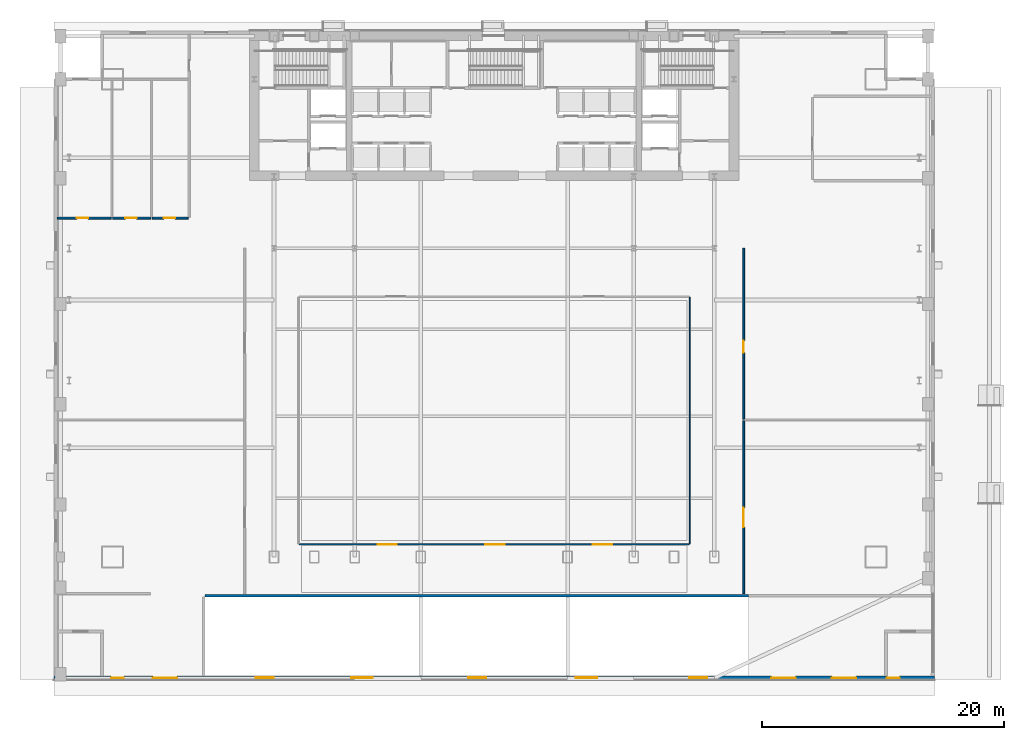
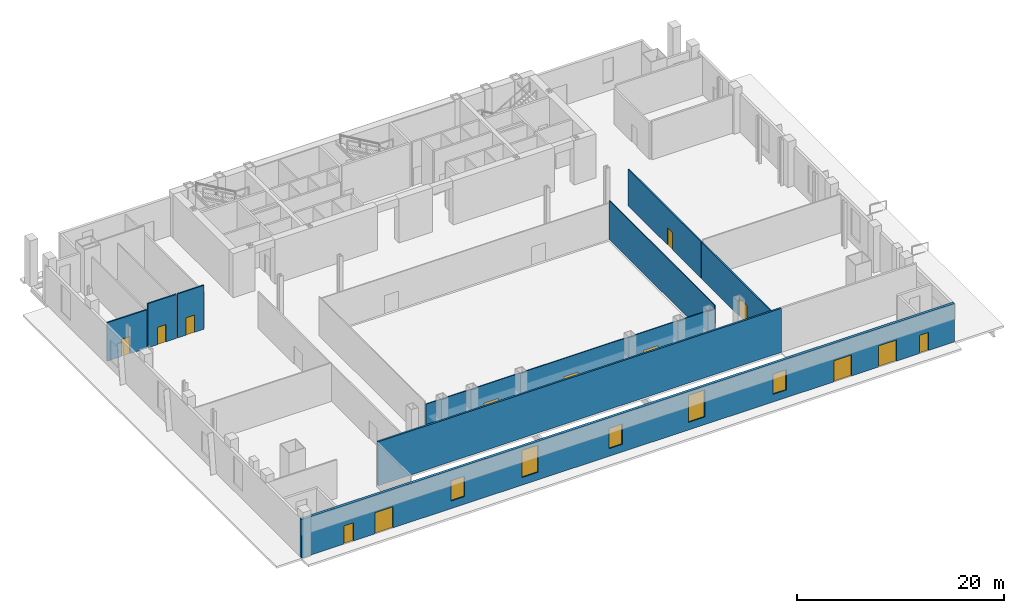
# One storey, part 8 of 16: 13 doors, 9 walls, 5 windows, 18 openings.
"""IFC4 building model written with IfcOpenShell, lengths in metres."""

from ifc_helpers import new_model, si_unit, direction, frame, frame_2d, origin, place, context, subcontext, project, spatial, rectangle, extrude, material, layer, layer_set, type_object, element, fill, save


model = new_model("IFC4")

# Units and contexts
model_context = context("Model", 3, precision=1e-05, world=origin(), true_north=direction((0.0, 1.0)))
body_context = subcontext(model_context, "Body", "Model", "MODEL_VIEW")
ifc_project = project(units=[si_unit("LENGTHUNIT", "METRE"), si_unit("AREAUNIT", "SQUARE_METRE"), si_unit("VOLUMEUNIT", "CUBIC_METRE"), si_unit("PLANEANGLEUNIT", "RADIAN"), si_unit("MASSUNIT", "GRAM", prefix="KILO")], contexts=[model_context])

# Site, building, storey
site_placement = place(None, origin())
site = spatial("IfcSite", under=ifc_project, at=site_placement, CompositionType="ELEMENT")
building_placement = place(site_placement, origin())
building = spatial("IfcBuilding", under=site, at=building_placement, Name="Khoronbel Lancet Exchange", CompositionType="ELEMENT")
storey_placement = place(building_placement, origin())
storey = spatial("IfcBuildingStorey", under=building, at=storey_placement, Name="L00", CompositionType="ELEMENT", Elevation=0.0)

# Wall, openings, doors, windows
ifc_material_1 = material(Name="Precast concrete C40/50", Category="concrete")
ifc_layer_1 = layer(ifc_material_1, 0.300048828125, Name="Precast concrete C40/50")
ifc_layer_set_1 = layer_set([ifc_layer_1], Name="Precast concrete C40/50")
wall_type_1 = type_object("IfcWallType", Name="WL-EXT300", PredefinedType="SOLIDWALL", material=ifc_layer_set_1)
wall_1_placement = place(storey_placement, frame((72.89990234375, 0.14990234375, 0.0), z_axis=(0.0, 0.0, 1.0), x_axis=(-1.0, 0.0, 0.0)))
wall_1 = element("IfcWall", 1, at=wall_1_placement, inside=storey, type_object=wall_type_1, Name="Level L00 south boulevard stone and bronze facade wall", PredefinedType="SOLIDWALL", context=body_context, shape_type="SweptSolid", body=[
    extrude(rectangle(XDim=72.89990234375, YDim=0.300048828125, at=frame_2d((36.449951171875, 0.0))), origin(), (0.0, 0.0, 1.0), 4.5400390625),
])
opening_1_placement = place(wall_1_placement, frame((6.5, 0.0, 0.0)))
opening_1 = element("IfcOpeningElement", 2, at=opening_1_placement, cuts=wall_1, Name="Opening EX1", PredefinedType="OPENING", context=body_context, shape_type="SweptSolid", body=[
    extrude(rectangle(XDim=2.0, YDim=2.5, at=frame_2d((1.0, 1.25))), frame((0.0, 0.16015625, 0.0), z_axis=(0.0, -1.0, 0.0), x_axis=(1.0, 0.0, 0.0)), (0.0, 0.0, 1.0), 0.320068359375),
])
opening_2_placement = place(wall_1_placement, frame((11.5, 0.0, 0.0)))
opening_2 = element("IfcOpeningElement", 3, at=opening_2_placement, cuts=wall_1, Name="Opening EX1", PredefinedType="OPENING", context=body_context, shape_type="SweptSolid", body=[
    extrude(rectangle(XDim=2.0, YDim=2.5, at=frame_2d((1.0, 1.25))), frame((0.0, 0.16015625, 0.0), z_axis=(0.0, -1.0, 0.0), x_axis=(1.0, 0.0, 0.0)), (0.0, 0.0, 1.0), 0.320068359375),
])
opening_3_placement = place(wall_1_placement, frame((62.699951171875, 0.0, 0.0)))
opening_3 = element("IfcOpeningElement", 4, at=opening_3_placement, cuts=wall_1, Name="Opening EX1", PredefinedType="OPENING", context=body_context, shape_type="SweptSolid", body=[
    extrude(rectangle(XDim=2.0, YDim=2.5, at=frame_2d((1.0, 1.25))), frame((0.0, 0.16015625, 0.0), z_axis=(0.0, -1.0, 0.0), x_axis=(1.0, 0.0, 0.0)), (0.0, 0.0, 1.0), 0.320068359375),
])
opening_4_placement = place(wall_1_placement, frame((67.10009765625, 0.0, 0.0)))
opening_4 = element("IfcOpeningElement", 5, at=opening_4_placement, cuts=wall_1, Name="Opening TD2", PredefinedType="OPENING", context=body_context, shape_type="SweptSolid", body=[
    extrude(rectangle(XDim=1.050048828125, YDim=2.14990234375, at=frame_2d((0.52490234375, 1.074951171875))), frame((0.0, 0.16015625, 0.0), z_axis=(0.0, -1.0, 0.0), x_axis=(1.0, 0.0, 0.0)), (0.0, 0.0, 1.0), 0.320068359375),
])
opening_5_placement = place(wall_1_placement, frame((2.89990234375, 0.0, 0.0)))
opening_5 = element("IfcOpeningElement", 6, at=opening_5_placement, cuts=wall_1, Name="Opening TD2", PredefinedType="OPENING", context=body_context, shape_type="SweptSolid", body=[
    extrude(rectangle(XDim=1.050048828125, YDim=2.14990234375, at=frame_2d((0.52490234375, 1.074951171875))), frame((0.0, 0.16015625, 0.0), z_axis=(0.0, -1.0, 0.0), x_axis=(1.0, 0.0, 0.0)), (0.0, 0.0, 1.0), 0.320068359375),
])
opening_6_placement = place(wall_1_placement, frame((18.800048828125, 0.0, 0.89990234375)))
opening_6 = element("IfcOpeningElement", 7, at=opening_6_placement, cuts=wall_1, Name="Opening W4", PredefinedType="OPENING", context=body_context, shape_type="SweptSolid", body=[
    extrude(rectangle(XDim=1.5, YDim=2.39990234375, at=frame_2d((0.75, 1.199951171875))), frame((0.0, 0.16015625, 0.0), z_axis=(0.0, -1.0, 0.0), x_axis=(1.0, 0.0, 0.0)), (0.0, 0.0, 1.0), 0.320068359375),
])
opening_7_placement = place(wall_1_placement, frame((27.89990234375, 0.0, 0.89990234375)))
opening_7 = element("IfcOpeningElement", 8, at=opening_7_placement, cuts=wall_1, Name="Opening W1", PredefinedType="OPENING", context=body_context, shape_type="SweptSolid", body=[
    extrude(rectangle(XDim=1.800048828125, YDim=3.199951171875, at=frame_2d((0.89990234375, 1.60009765625))), frame((0.0, 0.16015625, 0.0), z_axis=(0.0, -1.0, 0.0), x_axis=(1.0, 0.0, 0.0)), (0.0, 0.0, 1.0), 0.320068359375),
])
opening_8_placement = place(wall_1_placement, frame((37.10009765625, 0.0, 0.89990234375)))
opening_8 = element("IfcOpeningElement", 9, at=opening_8_placement, cuts=wall_1, Name="Opening W4", PredefinedType="OPENING", context=body_context, shape_type="SweptSolid", body=[
    extrude(rectangle(XDim=1.5, YDim=2.39990234375, at=frame_2d((0.75, 1.199951171875))), frame((0.0, 0.16015625, 0.0), z_axis=(0.0, -1.0, 0.0), x_axis=(1.0, 0.0, 0.0)), (0.0, 0.0, 1.0), 0.320068359375),
])
opening_9_placement = place(wall_1_placement, frame((46.5, 0.0, 0.89990234375)))
opening_9 = element("IfcOpeningElement", 10, at=opening_9_placement, cuts=wall_1, Name="Opening W1", PredefinedType="OPENING", context=body_context, shape_type="SweptSolid", body=[
    extrude(rectangle(XDim=1.800048828125, YDim=3.199951171875, at=frame_2d((0.89990234375, 1.60009765625))), frame((0.0, 0.16015625, 0.0), z_axis=(0.0, -1.0, 0.0), x_axis=(1.0, 0.0, 0.0)), (0.0, 0.0, 1.0), 0.320068359375),
])
opening_10_placement = place(wall_1_placement, frame((54.699951171875, 0.0, 0.89990234375)))
opening_10 = element("IfcOpeningElement", 11, at=opening_10_placement, cuts=wall_1, Name="Opening W4", PredefinedType="OPENING", context=body_context, shape_type="SweptSolid", body=[
    extrude(rectangle(XDim=1.5, YDim=2.39990234375, at=frame_2d((0.75, 1.199951171875))), frame((0.0, 0.16015625, 0.0), z_axis=(0.0, -1.0, 0.0), x_axis=(1.0, 0.0, 0.0)), (0.0, 0.0, 1.0), 0.320068359375),
])
ifc_material_2 = material(Name="Glazed Bronze-Anodised Aluminium Door Assembly", Category="aluminium")
door_type_1 = type_object("IfcDoorType", Name="DR-EX1", OperationType="NOTDEFINED", PredefinedType="DOOR", material=ifc_material_2)
door_1_placement = place(opening_1_placement, origin())
door_1 = element("IfcDoor", 12, at=door_1_placement, inside=storey, type_object=door_type_1, Name="Final exit door EX-01", OperationType="DOUBLE_DOOR_SINGLE_SWING", OverallHeight=2.5, OverallWidth=2.0, PredefinedType="DOOR", context=body_context, shape_type="SweptSolid", body=[
    extrude(rectangle(XDim=2.0, YDim=2.5, at=frame_2d((1.0, 1.25))), frame((0.0, 0.02490234375, 0.0), z_axis=(0.0, -1.0, 0.0), x_axis=(1.0, 0.0, 0.0)), (0.0, 0.0, 1.0), 0.050048828125),
])
fill(opening_1, door_1)
door_2_placement = place(opening_2_placement, origin())
door_2 = element("IfcDoor", 13, at=door_2_placement, inside=storey, type_object=door_type_1, Name="Final exit door EX-02", OperationType="DOUBLE_DOOR_SINGLE_SWING", OverallHeight=2.5, OverallWidth=2.0, PredefinedType="DOOR", context=body_context, shape_type="SweptSolid", body=[
    extrude(rectangle(XDim=2.0, YDim=2.5, at=frame_2d((1.0, 1.25))), frame((0.0, 0.02490234375, 0.0), z_axis=(0.0, -1.0, 0.0), x_axis=(1.0, 0.0, 0.0)), (0.0, 0.0, 1.0), 0.050048828125),
])
fill(opening_2, door_2)
door_3_placement = place(opening_3_placement, origin())
door_3 = element("IfcDoor", 14, at=door_3_placement, inside=storey, type_object=door_type_1, Name="Final exit door EX-03", OperationType="DOUBLE_DOOR_SINGLE_SWING", OverallHeight=2.5, OverallWidth=2.0, PredefinedType="DOOR", context=body_context, shape_type="SweptSolid", body=[
    extrude(rectangle(XDim=2.0, YDim=2.5, at=frame_2d((1.0, 1.25))), frame((0.0, 0.02490234375, 0.0), z_axis=(0.0, -1.0, 0.0), x_axis=(1.0, 0.0, 0.0)), (0.0, 0.0, 1.0), 0.050048828125),
])
fill(opening_3, door_3)
door_type_2 = type_object("IfcDoorType", Name="DR-TD2", OperationType="NOTDEFINED", PredefinedType="DOOR", material=ifc_material_2)
door_4_placement = place(opening_4_placement, origin())
door_4 = element("IfcDoor", 15, at=door_4_placement, inside=storey, type_object=door_type_2, Name="Retail street entrance W", OperationType="SINGLE_SWING_LEFT", OverallHeight=2.14990234375, OverallWidth=1.050048828125, PredefinedType="DOOR", context=body_context, shape_type="SweptSolid", body=[
    extrude(rectangle(XDim=1.050048828125, YDim=2.14990234375, at=frame_2d((0.52490234375, 1.074951171875))), frame((0.0, 0.02490234375, 0.0), z_axis=(0.0, -1.0, 0.0), x_axis=(1.0, 0.0, 0.0)), (0.0, 0.0, 1.0), 0.050048828125),
])
fill(opening_4, door_4)
door_5_placement = place(opening_5_placement, origin())
door_5 = element("IfcDoor", 16, at=door_5_placement, inside=storey, type_object=door_type_2, Name="Retail street entrance E", OperationType="SINGLE_SWING_RIGHT", OverallHeight=2.14990234375, OverallWidth=1.050048828125, PredefinedType="DOOR", context=body_context, shape_type="SweptSolid", body=[
    extrude(rectangle(XDim=1.050048828125, YDim=2.14990234375, at=frame_2d((0.52490234375, 1.074951171875))), frame((0.0, 0.02490234375, 0.0), z_axis=(0.0, -1.0, 0.0), x_axis=(1.0, 0.0, 0.0)), (0.0, 0.0, 1.0), 0.050048828125),
])
fill(opening_5, door_5)
ifc_material_3 = material(Name="Low-E Solar Control Insulating Glass", Category="glass")
window_type_1 = type_object("IfcWindowType", Name="WIN-W1", PartitioningType="SINGLE_PANEL", PredefinedType="WINDOW", material=ifc_material_3)
window_1_placement = place(opening_7_placement, origin())
window_1 = element("IfcWindow", 17, at=window_1_placement, inside=storey, type_object=window_type_1, Name="WIN-L00-S-2", OverallHeight=3.199951171875, OverallWidth=1.800048828125, PartitioningType="SINGLE_PANEL", PredefinedType="WINDOW", context=body_context, shape_type="SweptSolid", body=[
    extrude(rectangle(XDim=1.800048828125, YDim=3.199951171875, at=frame_2d((0.89990234375, 1.60009765625))), frame((0.0, 0.030029296875, 0.0), z_axis=(0.0, -1.0, 0.0), x_axis=(1.0, 0.0, 0.0)), (0.0, 0.0, 1.0), 0.06005859375),
])
fill(opening_7, window_1)
window_2_placement = place(opening_9_placement, origin())
window_2 = element("IfcWindow", 18, at=window_2_placement, inside=storey, type_object=window_type_1, Name="WIN-L00-S-4", OverallHeight=3.199951171875, OverallWidth=1.800048828125, PartitioningType="SINGLE_PANEL", PredefinedType="WINDOW", context=body_context, shape_type="SweptSolid", body=[
    extrude(rectangle(XDim=1.800048828125, YDim=3.199951171875, at=frame_2d((0.89990234375, 1.60009765625))), frame((0.0, 0.030029296875, 0.0), z_axis=(0.0, -1.0, 0.0), x_axis=(1.0, 0.0, 0.0)), (0.0, 0.0, 1.0), 0.06005859375),
])
fill(opening_9, window_2)
window_type_2 = type_object("IfcWindowType", Name="WIN-W4", PartitioningType="SINGLE_PANEL", PredefinedType="WINDOW", material=ifc_material_3)
window_3_placement = place(opening_6_placement, origin())
window_3 = element("IfcWindow", 19, at=window_3_placement, inside=storey, type_object=window_type_2, Name="WIN-L00-S-1", OverallHeight=2.39990234375, OverallWidth=1.5, PartitioningType="SINGLE_PANEL", PredefinedType="WINDOW", context=body_context, shape_type="SweptSolid", body=[
    extrude(rectangle(XDim=1.5, YDim=2.39990234375, at=frame_2d((0.75, 1.199951171875))), frame((0.0, 0.030029296875, 0.0), z_axis=(0.0, -1.0, 0.0), x_axis=(1.0, 0.0, 0.0)), (0.0, 0.0, 1.0), 0.06005859375),
])
fill(opening_6, window_3)
window_4_placement = place(opening_8_placement, origin())
window_4 = element("IfcWindow", 20, at=window_4_placement, inside=storey, type_object=window_type_2, Name="WIN-L00-S-3", OverallHeight=2.39990234375, OverallWidth=1.5, PartitioningType="SINGLE_PANEL", PredefinedType="WINDOW", context=body_context, shape_type="SweptSolid", body=[
    extrude(rectangle(XDim=1.5, YDim=2.39990234375, at=frame_2d((0.75, 1.199951171875))), frame((0.0, 0.030029296875, 0.0), z_axis=(0.0, -1.0, 0.0), x_axis=(1.0, 0.0, 0.0)), (0.0, 0.0, 1.0), 0.06005859375),
])
fill(opening_8, window_4)
window_5_placement = place(opening_10_placement, origin())
window_5 = element("IfcWindow", 21, at=window_5_placement, inside=storey, type_object=window_type_2, Name="WIN-L00-S-5", OverallHeight=2.39990234375, OverallWidth=1.5, PartitioningType="SINGLE_PANEL", PredefinedType="WINDOW", context=body_context, shape_type="SweptSolid", body=[
    extrude(rectangle(XDim=1.5, YDim=2.39990234375, at=frame_2d((0.75, 1.199951171875))), frame((0.0, 0.030029296875, 0.0), z_axis=(0.0, -1.0, 0.0), x_axis=(1.0, 0.0, 0.0)), (0.0, 0.0, 1.0), 0.06005859375),
])
fill(opening_10, window_5)

# Wall, openings, doors
ifc_material_4 = material(Name="Demountable Bronze-Framed Acoustic Glass Partition 100 mm", Category="glass")
ifc_layer_2 = layer(ifc_material_4, 0.10009765625, Name="Demountable Bronze-Framed Acoustic Glass Partition 100 mm")
ifc_layer_set_2 = layer_set([ifc_layer_2], Name="Demountable Bronze-Framed Acoustic Glass Partition 100 mm")
wall_type_2 = type_object("IfcWallType", Name="WL-MOV100", PredefinedType="MOVABLE", material=ifc_layer_set_2)
wall_2_placement = place(storey_placement, frame((20.304931640625, 11.199951171875, 0.0), z_axis=(0.0, 0.0, 1.0), x_axis=(1.0, 0.0, 0.0)))
wall_2 = element("IfcWall", 22, at=wall_2_placement, inside=storey, type_object=wall_type_2, Name="Level L00 interior partition PW-L00-HS", PredefinedType="MOVABLE", context=body_context, shape_type="SweptSolid", body=[
    extrude(rectangle(XDim=32.2900390625, YDim=0.10009765625, at=frame_2d((16.14501953125, 0.0))), origin(), (0.0, 0.0, 1.0), 4.2900390625),
])
opening_11_placement = place(wall_2_placement, frame((6.5, 0.0, 0.0)))
opening_11 = element("IfcOpeningElement", 23, at=opening_11_placement, cuts=wall_2, Name="Opening D9", PredefinedType="OPENING", context=body_context, shape_type="SweptSolid", body=[
    extrude(rectangle(XDim=1.60009765625, YDim=2.14990234375, at=frame_2d((0.800048828125, 1.074951171875))), frame((0.0, 0.06005859375, 0.0), z_axis=(0.0, -1.0, 0.0), x_axis=(1.0, 0.0, 0.0)), (0.0, 0.0, 1.0), 0.1201171875),
])
opening_12_placement = place(wall_2_placement, frame((15.39990234375, 0.0, 0.0)))
opening_12 = element("IfcOpeningElement", 24, at=opening_12_placement, cuts=wall_2, Name="Opening D9", PredefinedType="OPENING", context=body_context, shape_type="SweptSolid", body=[
    extrude(rectangle(XDim=1.60009765625, YDim=2.14990234375, at=frame_2d((0.800048828125, 1.074951171875))), frame((0.0, 0.06005859375, 0.0), z_axis=(0.0, -1.0, 0.0), x_axis=(1.0, 0.0, 0.0)), (0.0, 0.0, 1.0), 0.1201171875),
])
opening_13_placement = place(wall_2_placement, frame((24.300048828125, 0.0, 0.0)))
opening_13 = element("IfcOpeningElement", 25, at=opening_13_placement, cuts=wall_2, Name="Opening D9", PredefinedType="OPENING", context=body_context, shape_type="SweptSolid", body=[
    extrude(rectangle(XDim=1.60009765625, YDim=2.14990234375, at=frame_2d((0.800048828125, 1.074951171875))), frame((0.0, 0.06005859375, 0.0), z_axis=(0.0, -1.0, 0.0), x_axis=(1.0, 0.0, 0.0)), (0.0, 0.0, 1.0), 0.1201171875),
])
ifc_material_5 = material(Name="Glazed Bronze-Framed Double Hall Door", Category="aluminium")
door_type_3 = type_object("IfcDoorType", Name="DR-D9", OperationType="NOTDEFINED", PredefinedType="DOOR", material=ifc_material_5)
door_6_placement = place(opening_11_placement, origin())
door_6 = element("IfcDoor", 26, at=door_6_placement, inside=storey, type_object=door_type_3, Name="Market Hall south entrance W L00-1", OperationType="DOUBLE_DOOR_SINGLE_SWING", OverallHeight=2.14990234375, OverallWidth=1.60009765625, PredefinedType="DOOR", context=body_context, shape_type="SweptSolid", body=[
    extrude(rectangle(XDim=1.60009765625, YDim=2.14990234375, at=frame_2d((0.800048828125, 1.074951171875))), frame((0.0, 0.02490234375, 0.0), z_axis=(0.0, -1.0, 0.0), x_axis=(1.0, 0.0, 0.0)), (0.0, 0.0, 1.0), 0.050048828125),
])
fill(opening_11, door_6)
door_7_placement = place(opening_12_placement, origin())
door_7 = element("IfcDoor", 27, at=door_7_placement, inside=storey, type_object=door_type_3, Name="Market Hall ceremonial center door L00-2", OperationType="DOUBLE_DOOR_SINGLE_SWING", OverallHeight=2.14990234375, OverallWidth=1.60009765625, PredefinedType="DOOR", context=body_context, shape_type="SweptSolid", body=[
    extrude(rectangle(XDim=1.60009765625, YDim=2.14990234375, at=frame_2d((0.800048828125, 1.074951171875))), frame((0.0, 0.02490234375, 0.0), z_axis=(0.0, -1.0, 0.0), x_axis=(1.0, 0.0, 0.0)), (0.0, 0.0, 1.0), 0.050048828125),
])
fill(opening_12, door_7)
door_8_placement = place(opening_13_placement, origin())
door_8 = element("IfcDoor", 28, at=door_8_placement, inside=storey, type_object=door_type_3, Name="Market Hall south entrance E L00-3", OperationType="DOUBLE_DOOR_SINGLE_SWING", OverallHeight=2.14990234375, OverallWidth=1.60009765625, PredefinedType="DOOR", context=body_context, shape_type="SweptSolid", body=[
    extrude(rectangle(XDim=1.60009765625, YDim=2.14990234375, at=frame_2d((0.800048828125, 1.074951171875))), frame((0.0, 0.02490234375, 0.0), z_axis=(0.0, -1.0, 0.0), x_axis=(1.0, 0.0, 0.0)), (0.0, 0.0, 1.0), 0.050048828125),
])
fill(opening_13, door_8)

# Wall
wall_3_placement = place(storey_placement, frame((52.64990234375, 11.2548828125, 0.0), z_axis=(0.0, 0.0, 1.0), x_axis=(0.0, 1.0, 0.0)))
element("IfcWall", 29, at=wall_3_placement, inside=storey, type_object=wall_type_2, Name="Level L00 interior partition PW-L00-HE", PredefinedType="MOVABLE", context=body_context, shape_type="SweptSolid", body=[
    extrude(rectangle(XDim=20.39013671875, YDim=0.10009765625, at=frame_2d((10.195068359375, 0.0))), origin(), (0.0, 0.0, 1.0), 4.590087890625),
])

# Wall, opening, door
ifc_material_6 = material(Name="Fire-Rated Twin-Stud Acoustic Gypsum Partition 150 mm", Category="gypsum")
ifc_layer_3 = layer(ifc_material_6, 0.14990234375, Name="Fire-Rated Twin-Stud Acoustic Gypsum Partition 150 mm")
ifc_layer_set_3 = layer_set([ifc_layer_3], Name="Fire-Rated Twin-Stud Acoustic Gypsum Partition 150 mm")
wall_type_3 = type_object("IfcWallType", Name="WL-PRT150C", PredefinedType="PARTITIONING", material=ifc_layer_set_3)
wall_4_placement = place(storey_placement, frame((57.10009765625, 7.1201171875, 0.0), z_axis=(0.0, 0.0, 1.0), x_axis=(0.0, 1.0, 0.0)))
wall_4 = element("IfcWall", 30, at=wall_4_placement, inside=storey, type_object=wall_type_3, Name="Level L00 interior partition PW-L00-EW1", PredefinedType="PARTITIONING", context=body_context, shape_type="SweptSolid", body=[
    extrude(rectangle(XDim=14.31494140625, YDim=0.14990234375, at=frame_2d((7.157470703125, 0.0))), origin(), (0.0, 0.0, 1.0), 4.2900390625),
])
opening_14_placement = place(wall_4_placement, frame((5.5, 0.0, 0.0)))
opening_14 = element("IfcOpeningElement", 31, at=opening_14_placement, cuts=wall_4, Name="Opening D3", PredefinedType="OPENING", context=body_context, shape_type="SweptSolid", body=[
    extrude(rectangle(XDim=1.60009765625, YDim=2.14990234375, at=frame_2d((0.800048828125, 1.074951171875))), frame((0.0, 0.0849609375, 0.0), z_axis=(0.0, -1.0, 0.0), x_axis=(1.0, 0.0, 0.0)), (0.0, 0.0, 1.0), 0.169921875),
])
ifc_material_7 = material(Name="Glazed Bronze-Framed Double Suite Door", Category="aluminium")
door_type_4 = type_object("IfcDoorType", Name="DR-D3", OperationType="NOTDEFINED", PredefinedType="DOOR", material=ifc_material_7)
door_9_placement = place(opening_14_placement, origin())
door_9 = element("IfcDoor", 32, at=door_9_placement, inside=storey, type_object=door_type_4, Name="Bullion depository reception door L00-1", OperationType="DOUBLE_DOOR_SINGLE_SWING", OverallHeight=2.14990234375, OverallWidth=1.60009765625, PredefinedType="DOOR", context=body_context, shape_type="SweptSolid", body=[
    extrude(rectangle(XDim=1.60009765625, YDim=2.14990234375, at=frame_2d((0.800048828125, 1.074951171875))), frame((0.0, 0.02490234375, 0.0), z_axis=(0.0, -1.0, 0.0), x_axis=(1.0, 0.0, 0.0)), (0.0, 0.0, 1.0), 0.050048828125),
])
fill(opening_14, door_9)

wall_5_placement = place(storey_placement, frame((57.10009765625, 21.56494140625, 0.0), z_axis=(0.0, 0.0, 1.0), x_axis=(0.0, 1.0, 0.0)))
wall_5 = element("IfcWall", 33, at=wall_5_placement, inside=storey, type_object=wall_type_3, Name="Level L00 interior partition PW-L00-EW2", PredefinedType="PARTITIONING", context=body_context, shape_type="SweptSolid", body=[
    extrude(rectangle(XDim=14.135009765625, YDim=0.14990234375, at=frame_2d((7.0673828125, 0.0))), origin(), (0.0, 0.0, 1.0), 4.2900390625),
])
opening_15_placement = place(wall_5_placement, frame((5.5, 0.0, 0.0)))
opening_15 = element("IfcOpeningElement", 34, at=opening_15_placement, cuts=wall_5, Name="Opening D2", PredefinedType="OPENING", context=body_context, shape_type="SweptSolid", body=[
    extrude(rectangle(XDim=1.0, YDim=2.050048828125, at=frame_2d((0.5, 1.02490234375))), frame((0.0, 0.0849609375, 0.0), z_axis=(0.0, -1.0, 0.0), x_axis=(1.0, 0.0, 0.0)), (0.0, 0.0, 1.0), 0.169921875),
])
ifc_material_8 = material(Name="Acoustic Veneered Timber & Bronze Frame Door", Category="wood")
door_type_5 = type_object("IfcDoorType", Name="DR-D2", OperationType="NOTDEFINED", PredefinedType="DOOR", material=ifc_material_8)
door_10_placement = place(opening_15_placement, origin())
door_10 = element("IfcDoor", 35, at=door_10_placement, inside=storey, type_object=door_type_5, Name="Press & market media centre door L00-1", OperationType="SINGLE_SWING_LEFT", OverallHeight=2.050048828125, OverallWidth=1.0, PredefinedType="DOOR", context=body_context, shape_type="SweptSolid", body=[
    extrude(rectangle(XDim=1.0, YDim=2.050048828125, at=frame_2d((0.5, 1.02490234375))), frame((0.0, 0.02490234375, 0.0), z_axis=(0.0, -1.0, 0.0), x_axis=(1.0, 0.0, 0.0)), (0.0, 0.0, 1.0), 0.050048828125),
])
fill(opening_15, door_10)

wall_6_placement = place(storey_placement, frame((0.300048828125, 38.199951171875, 0.0), z_axis=(0.0, 0.0, 1.0), x_axis=(1.0, 0.0, 0.0)))
wall_6 = element("IfcWall", 36, at=wall_6_placement, inside=storey, type_object=wall_type_3, Name="Level L00 interior partition PW-L00-WCH1", PredefinedType="PARTITIONING", context=body_context, shape_type="SweptSolid", body=[
    extrude(rectangle(XDim=4.43505859375, YDim=0.14990234375, at=frame_2d((2.217529296875, 0.0))), origin(), (0.0, 0.0, 1.0), 4.5400390625),
])
opening_16_placement = place(wall_6_placement, frame((1.60009765625, 0.0, 0.0)))
opening_16 = element("IfcOpeningElement", 37, at=opening_16_placement, cuts=wall_6, Name="Opening D4", PredefinedType="OPENING", context=body_context, shape_type="SweptSolid", body=[
    extrude(rectangle(XDim=0.949951171875, YDim=2.050048828125, at=frame_2d((0.47509765625, 1.02490234375))), frame((0.0, 0.0849609375, 0.0), z_axis=(0.0, -1.0, 0.0), x_axis=(1.0, 0.0, 0.0)), (0.0, 0.0, 1.0), 0.169921875),
])
ifc_material_9 = material(Name="Moisture-Resistant HPL Washroom Door", Category="wood")
door_type_6 = type_object("IfcDoorType", Name="DR-D4", OperationType="NOTDEFINED", PredefinedType="DOOR", material=ifc_material_9)
door_11_placement = place(opening_16_placement, origin())
door_11 = element("IfcDoor", 38, at=door_11_placement, inside=storey, type_object=door_type_6, Name="Ground male WC door L00-1", OperationType="SINGLE_SWING_LEFT", OverallHeight=2.050048828125, OverallWidth=0.949951171875, PredefinedType="DOOR", context=body_context, shape_type="SweptSolid", body=[
    extrude(rectangle(XDim=0.949951171875, YDim=2.050048828125, at=frame_2d((0.47509765625, 1.02490234375))), frame((0.0, 0.02490234375, 0.0), z_axis=(0.0, -1.0, 0.0), x_axis=(1.0, 0.0, 0.0)), (0.0, 0.0, 1.0), 0.050048828125),
])
fill(opening_16, door_11)

wall_7_placement = place(storey_placement, frame((4.864990234375, 38.199951171875, 0.0), z_axis=(0.0, 0.0, 1.0), x_axis=(1.0, 0.0, 0.0)))
wall_7 = element("IfcWall", 39, at=wall_7_placement, inside=storey, type_object=wall_type_3, Name="Level L00 interior partition PW-L00-WCH2", PredefinedType="PARTITIONING", context=body_context, shape_type="SweptSolid", body=[
    extrude(rectangle(XDim=3.169921875, YDim=0.14990234375, at=frame_2d((1.5849609375, 0.0))), origin(), (0.0, 0.0, 1.0), 5.199951171875),
])
opening_17_placement = place(wall_7_placement, frame((1.050048828125, 0.0, 0.0)))
opening_17 = element("IfcOpeningElement", 40, at=opening_17_placement, cuts=wall_7, Name="Opening D4", PredefinedType="OPENING", context=body_context, shape_type="SweptSolid", body=[
    extrude(rectangle(XDim=0.949951171875, YDim=2.050048828125, at=frame_2d((0.47509765625, 1.02490234375))), frame((0.0, 0.0849609375, 0.0), z_axis=(0.0, -1.0, 0.0), x_axis=(1.0, 0.0, 0.0)), (0.0, 0.0, 1.0), 0.169921875),
])
door_12_placement = place(opening_17_placement, origin())
door_12 = element("IfcDoor", 41, at=door_12_placement, inside=storey, type_object=door_type_6, Name="Ground female WC door L00-1", OperationType="SINGLE_SWING_RIGHT", OverallHeight=2.050048828125, OverallWidth=0.949951171875, PredefinedType="DOOR", context=body_context, shape_type="SweptSolid", body=[
    extrude(rectangle(XDim=0.949951171875, YDim=2.050048828125, at=frame_2d((0.47509765625, 1.02490234375))), frame((0.0, 0.02490234375, 0.0), z_axis=(0.0, -1.0, 0.0), x_axis=(1.0, 0.0, 0.0)), (0.0, 0.0, 1.0), 0.050048828125),
])
fill(opening_17, door_12)

wall_8_placement = place(storey_placement, frame((8.1650390625, 38.199951171875, 0.0), z_axis=(0.0, 0.0, 1.0), x_axis=(1.0, 0.0, 0.0)))
wall_8 = element("IfcWall", 42, at=wall_8_placement, inside=storey, type_object=wall_type_3, Name="Level L00 interior partition PW-L00-WCH3", PredefinedType="PARTITIONING", context=body_context, shape_type="SweptSolid", body=[
    extrude(rectangle(XDim=2.955078125, YDim=0.14990234375, at=frame_2d((1.4775390625, 0.0))), origin(), (0.0, 0.0, 1.0), 5.199951171875),
])
opening_18_placement = place(wall_8_placement, frame((0.949951171875, 0.0, 0.0)))
opening_18 = element("IfcOpeningElement", 43, at=opening_18_placement, cuts=wall_8, Name="Opening D4", PredefinedType="OPENING", context=body_context, shape_type="SweptSolid", body=[
    extrude(rectangle(XDim=0.949951171875, YDim=2.050048828125, at=frame_2d((0.47509765625, 1.02490234375))), frame((0.0, 0.0849609375, 0.0), z_axis=(0.0, -1.0, 0.0), x_axis=(1.0, 0.0, 0.0)), (0.0, 0.0, 1.0), 0.169921875),
])
door_13_placement = place(opening_18_placement, origin())
door_13 = element("IfcDoor", 44, at=door_13_placement, inside=storey, type_object=door_type_6, Name="Ground accessible WC door L00-1", OperationType="SINGLE_SWING_LEFT", OverallHeight=2.050048828125, OverallWidth=0.949951171875, PredefinedType="DOOR", context=body_context, shape_type="SweptSolid", body=[
    extrude(rectangle(XDim=0.949951171875, YDim=2.050048828125, at=frame_2d((0.47509765625, 1.02490234375))), frame((0.0, 0.02490234375, 0.0), z_axis=(0.0, -1.0, 0.0), x_axis=(1.0, 0.0, 0.0)), (0.0, 0.0, 1.0), 0.050048828125),
])
fill(opening_18, door_13)

# Wall
ifc_material_10 = material(Name="Autoclaved Aerated Concrete Blockwork 200 mm", Category="masonry")
ifc_layer_4 = layer(ifc_material_10, 0.199951171875, Name="Autoclaved Aerated Concrete Blockwork 200 mm")
ifc_layer_set_4 = layer_set([ifc_layer_4], Name="Autoclaved Aerated Concrete Blockwork 200 mm")
wall_type_4 = type_object("IfcWallType", Name="WL-PRT200", PredefinedType="PARTITIONING", material=ifc_layer_set_4)
wall_9_placement = place(storey_placement, frame((12.5048828125, 6.949951171875, 0.0), z_axis=(0.0, 0.0, 1.0), x_axis=(1.0, 0.0, 0.0)))
element("IfcWall", 45, at=wall_9_placement, inside=storey, type_object=wall_type_4, Name="Level L00 interior partition PW-L00-RMPN", PredefinedType="PARTITIONING", context=body_context, shape_type="SweptSolid", body=[
    extrude(rectangle(XDim=44.9951171875, YDim=0.199951171875, at=frame_2d((22.49755859375, 0.0))), origin(), (0.0, 0.0, 1.0), 5.199951171875),
])

save(model, "model.ifc")
